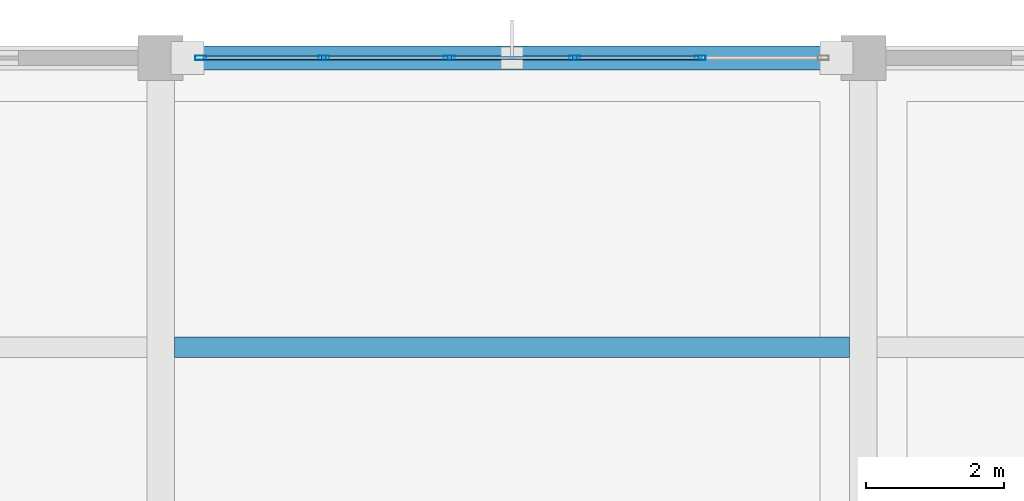
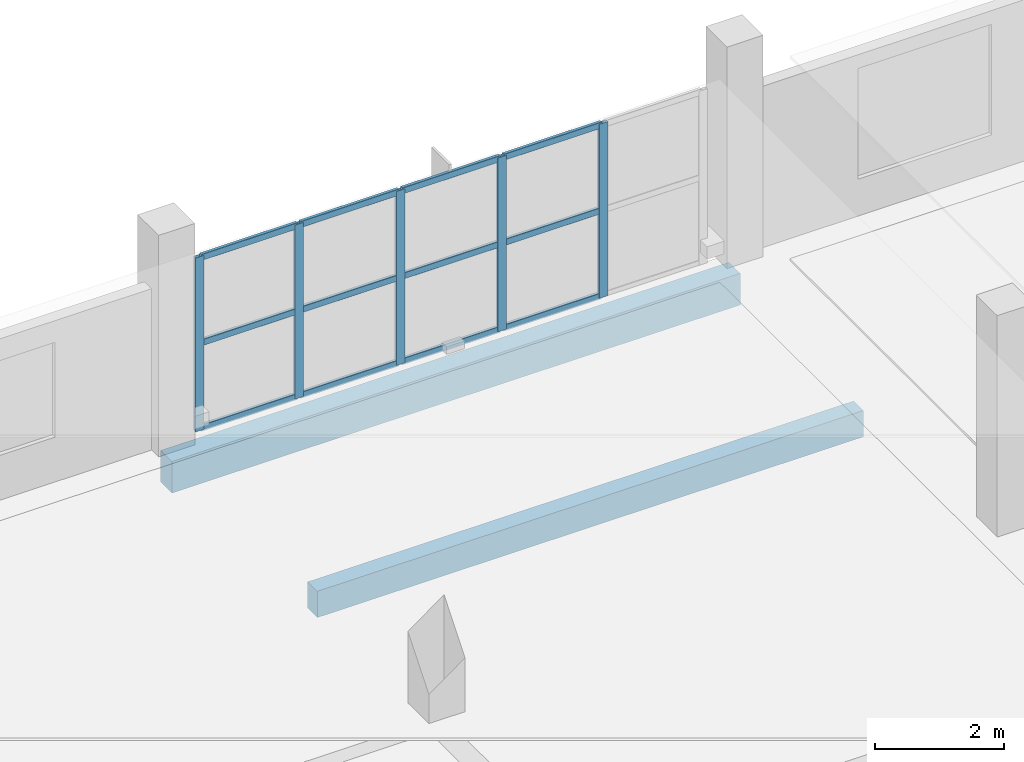
# One storey, part 102 of 135: 17 members, 2 beams, 1 element without a shape of its own.
"""IFC4 building model written with IfcOpenShell, lengths in metres."""

from ifc_helpers import new_model, si_unit, direction, frame, origin, origin_2d, place, context, subcontext, project, spatial, rectangle, hollow_rectangle, extrude, material, material_profile, profile_set, type_object, element, aggregate, save


model = new_model("IFC4")

# Units and contexts
model_context = context("Model", 3, precision=1e-05, world=origin(), true_north=direction((0.0, 1.0)))
body_context = subcontext(model_context, "Body", "Model", "MODEL_VIEW")
ifc_project = project(units=[si_unit("LENGTHUNIT", "METRE"), si_unit("AREAUNIT", "SQUARE_METRE"), si_unit("VOLUMEUNIT", "CUBIC_METRE"), si_unit("PLANEANGLEUNIT", "RADIAN"), si_unit("MASSUNIT", "GRAM", prefix="KILO")], contexts=[model_context])

# Site, building, storey
site_placement = place(None, origin())
site = spatial("IfcSite", under=ifc_project, at=site_placement, CompositionType="ELEMENT")
building_placement = place(site_placement, origin())
building = spatial("IfcBuilding", under=site, at=building_placement, Name="Brelvane Convention Centre", CompositionType="ELEMENT")
storey_placement = place(building_placement, frame((0.0, 0.0, 15.0)))
storey = spatial("IfcBuildingStorey", under=building, at=storey_placement, Name="L03", CompositionType="ELEMENT", Elevation=15.0)

# Curtain wall, members
ifc_material_1 = material(Name="Anodised Aluminium Alloy 6063-T6", Category="aluminium")
curtain_wall_type = type_object("IfcCurtainWallType", Name="Curtain Wall CW-BOUL", PredefinedType="USERDEFINED", material=ifc_material_1)
curtain_wall_placement = place(storey_placement, origin())
curtain_wall = element("IfcCurtainWall", 1, at=curtain_wall_placement, inside=storey, type_object=curtain_wall_type, Name="Curtain Wall CW-BOUL L03-V4N-08", ObjectType="UNITISED", PredefinedType="USERDEFINED")
ifc_material_2 = material(Name="Anodised Aluminium Alloy 6063-T6", Category="aluminium")
ifc_material_profile_1 = material_profile(ifc_material_2, hollow_rectangle(XDim=0.06494140625, YDim=0.159912109375, WallThickness=0.00390625, InnerFilletRadius=0.00390625, OuterFilletRadius=0.008056640625, at=origin_2d()), Name="ALU-M 160x65x4.0")
ifc_profile_set_1 = profile_set([ifc_material_profile_1], Name="Anodised Aluminium Alloy 6063-T6")
member_type_1 = type_object("IfcMemberType", Name="Curtain Mullion CW-M3", PredefinedType="MULLION", material=ifc_profile_set_1)
member_1_placement = place(storey_placement, frame((71.982421875, 144.0, 0.0), z_axis=(0.0, 0.0, 1.0), x_axis=(0.0, 1.0, 0.0)))
member_1 = element("IfcMember", 2, at=member_1_placement, type_object=member_type_1, Name="CW-BOUL mullion 1", PredefinedType="MULLION", context=body_context, shape_type="SweptSolid", body=[
    extrude(hollow_rectangle(XDim=0.06494140625, YDim=0.159912109375, WallThickness=0.00390625, InnerFilletRadius=0.00390625, OuterFilletRadius=0.008056640625, at=origin_2d()), origin(), (0.0, 0.0, 1.0), 3.300048828125),
])
member_2_placement = place(storey_placement, frame((73.77001953125, 144.0, 0.0), z_axis=(0.0, 0.0, 1.0), x_axis=(0.0, 1.0, 0.0)))
member_2 = element("IfcMember", 3, at=member_2_placement, type_object=member_type_1, Name="CW-BOUL mullion 2", PredefinedType="MULLION", context=body_context, shape_type="SweptSolid", body=[
    extrude(hollow_rectangle(XDim=0.06494140625, YDim=0.159912109375, WallThickness=0.00390625, InnerFilletRadius=0.00390625, OuterFilletRadius=0.008056640625, at=origin_2d()), origin(), (0.0, 0.0, 1.0), 3.300048828125),
])
member_3_placement = place(storey_placement, frame((75.590087890625, 144.0, 0.0), z_axis=(0.0, 0.0, 1.0), x_axis=(0.0, 1.0, 0.0)))
member_3 = element("IfcMember", 4, at=member_3_placement, type_object=member_type_1, Name="CW-BOUL mullion 3", PredefinedType="MULLION", context=body_context, shape_type="SweptSolid", body=[
    extrude(hollow_rectangle(XDim=0.06494140625, YDim=0.159912109375, WallThickness=0.00390625, InnerFilletRadius=0.00390625, OuterFilletRadius=0.008056640625, at=origin_2d()), origin(), (0.0, 0.0, 1.0), 3.300048828125),
])
member_4_placement = place(storey_placement, frame((77.409912109375, 144.0, 0.0), z_axis=(0.0, 0.0, 1.0), x_axis=(0.0, 1.0, 0.0)))
member_4 = element("IfcMember", 5, at=member_4_placement, type_object=member_type_1, Name="CW-BOUL mullion 4", PredefinedType="MULLION", context=body_context, shape_type="SweptSolid", body=[
    extrude(hollow_rectangle(XDim=0.06494140625, YDim=0.159912109375, WallThickness=0.00390625, InnerFilletRadius=0.00390625, OuterFilletRadius=0.008056640625, at=origin_2d()), origin(), (0.0, 0.0, 1.0), 3.300048828125),
])
member_5_placement = place(storey_placement, frame((79.22998046875, 144.0, 0.0), z_axis=(0.0, 0.0, 1.0), x_axis=(0.0, 1.0, 0.0)))
member_5 = element("IfcMember", 6, at=member_5_placement, type_object=member_type_1, Name="CW-BOUL mullion 5", PredefinedType="MULLION", context=body_context, shape_type="SweptSolid", body=[
    extrude(hollow_rectangle(XDim=0.06494140625, YDim=0.159912109375, WallThickness=0.00390625, InnerFilletRadius=0.00390625, OuterFilletRadius=0.008056640625, at=origin_2d()), origin(), (0.0, 0.0, 1.0), 3.300048828125),
])
ifc_material_3 = material(Name="Anodised Aluminium Alloy 6063-T6", Category="aluminium")
ifc_material_profile_2 = material_profile(ifc_material_3, hollow_rectangle(XDim=0.06005859375, YDim=0.1201171875, WallThickness=0.00390625, InnerFilletRadius=0.00390625, OuterFilletRadius=0.008056640625, at=origin_2d()), Name="ALU-T 120x60x4.0")
ifc_profile_set_2 = profile_set([ifc_material_profile_2], Name="Anodised Aluminium Alloy 6063-T6")
member_type_2 = type_object("IfcMemberType", Name="Curtain Transom CW-T3", PredefinedType="USERDEFINED", material=ifc_profile_set_2)
member_6_placement = place(storey_placement, frame((72.014892578125, 144.0, 0.030029296875), z_axis=(1.0, 0.0, 0.0), x_axis=(0.0, 1.0, 0.0)))
member_6 = element("IfcMember", 7, at=member_6_placement, type_object=member_type_2, Name="CW-BOUL transom 1.1", ObjectType="TRANSOM", PredefinedType="USERDEFINED", context=body_context, shape_type="SweptSolid", body=[
    extrude(hollow_rectangle(XDim=0.06005859375, YDim=0.1201171875, WallThickness=0.00390625, InnerFilletRadius=0.00390625, OuterFilletRadius=0.008056640625, at=origin_2d()), origin(), (0.0, 0.0, 1.0), 1.72265625),
])
member_7_placement = place(storey_placement, frame((72.014892578125, 144.0, 1.64990234375), z_axis=(1.0, 0.0, 0.0), x_axis=(0.0, 1.0, 0.0)))
member_7 = element("IfcMember", 8, at=member_7_placement, type_object=member_type_2, Name="CW-BOUL transom 1.2", ObjectType="TRANSOM", PredefinedType="USERDEFINED", context=body_context, shape_type="SweptSolid", body=[
    extrude(hollow_rectangle(XDim=0.06005859375, YDim=0.1201171875, WallThickness=0.00390625, InnerFilletRadius=0.00390625, OuterFilletRadius=0.008056640625, at=origin_2d()), origin(), (0.0, 0.0, 1.0), 1.72265625),
])
member_8_placement = place(storey_placement, frame((72.014892578125, 144.0, 3.27001953125), z_axis=(1.0, 0.0, 0.0), x_axis=(0.0, 1.0, 0.0)))
member_8 = element("IfcMember", 9, at=member_8_placement, type_object=member_type_2, Name="CW-BOUL transom 1.3", ObjectType="TRANSOM", PredefinedType="USERDEFINED", context=body_context, shape_type="SweptSolid", body=[
    extrude(hollow_rectangle(XDim=0.06005859375, YDim=0.1201171875, WallThickness=0.00390625, InnerFilletRadius=0.00390625, OuterFilletRadius=0.008056640625, at=origin_2d()), origin(), (0.0, 0.0, 1.0), 1.72265625),
])
member_9_placement = place(storey_placement, frame((73.802490234375, 144.0, 0.030029296875), z_axis=(1.0, 0.0, 0.0), x_axis=(0.0, 1.0, 0.0)))
member_9 = element("IfcMember", 10, at=member_9_placement, type_object=member_type_2, Name="CW-BOUL transom 2.1", ObjectType="TRANSOM", PredefinedType="USERDEFINED", context=body_context, shape_type="SweptSolid", body=[
    extrude(hollow_rectangle(XDim=0.06005859375, YDim=0.1201171875, WallThickness=0.00390625, InnerFilletRadius=0.00390625, OuterFilletRadius=0.008056640625, at=origin_2d()), origin(), (0.0, 0.0, 1.0), 1.755126953125),
])
member_10_placement = place(storey_placement, frame((73.802490234375, 144.0, 1.64990234375), z_axis=(1.0, 0.0, 0.0), x_axis=(0.0, 1.0, 0.0)))
member_10 = element("IfcMember", 11, at=member_10_placement, type_object=member_type_2, Name="CW-BOUL transom 2.2", ObjectType="TRANSOM", PredefinedType="USERDEFINED", context=body_context, shape_type="SweptSolid", body=[
    extrude(hollow_rectangle(XDim=0.06005859375, YDim=0.1201171875, WallThickness=0.00390625, InnerFilletRadius=0.00390625, OuterFilletRadius=0.008056640625, at=origin_2d()), origin(), (0.0, 0.0, 1.0), 1.755126953125),
])
member_11_placement = place(storey_placement, frame((73.802490234375, 144.0, 3.27001953125), z_axis=(1.0, 0.0, 0.0), x_axis=(0.0, 1.0, 0.0)))
member_11 = element("IfcMember", 12, at=member_11_placement, type_object=member_type_2, Name="CW-BOUL transom 2.3", ObjectType="TRANSOM", PredefinedType="USERDEFINED", context=body_context, shape_type="SweptSolid", body=[
    extrude(hollow_rectangle(XDim=0.06005859375, YDim=0.1201171875, WallThickness=0.00390625, InnerFilletRadius=0.00390625, OuterFilletRadius=0.008056640625, at=origin_2d()), origin(), (0.0, 0.0, 1.0), 1.755126953125),
])
member_12_placement = place(storey_placement, frame((75.62255859375, 144.0, 0.030029296875), z_axis=(1.0, 0.0, 0.0), x_axis=(0.0, 1.0, 0.0)))
member_12 = element("IfcMember", 13, at=member_12_placement, type_object=member_type_2, Name="CW-BOUL transom 3.1", ObjectType="TRANSOM", PredefinedType="USERDEFINED", context=body_context, shape_type="SweptSolid", body=[
    extrude(hollow_rectangle(XDim=0.06005859375, YDim=0.1201171875, WallThickness=0.00390625, InnerFilletRadius=0.00390625, OuterFilletRadius=0.008056640625, at=origin_2d()), origin(), (0.0, 0.0, 1.0), 1.7548828125),
])
member_13_placement = place(storey_placement, frame((75.62255859375, 144.0, 1.64990234375), z_axis=(1.0, 0.0, 0.0), x_axis=(0.0, 1.0, 0.0)))
member_13 = element("IfcMember", 14, at=member_13_placement, type_object=member_type_2, Name="CW-BOUL transom 3.2", ObjectType="TRANSOM", PredefinedType="USERDEFINED", context=body_context, shape_type="SweptSolid", body=[
    extrude(hollow_rectangle(XDim=0.06005859375, YDim=0.1201171875, WallThickness=0.00390625, InnerFilletRadius=0.00390625, OuterFilletRadius=0.008056640625, at=origin_2d()), origin(), (0.0, 0.0, 1.0), 1.7548828125),
])
member_14_placement = place(storey_placement, frame((75.62255859375, 144.0, 3.27001953125), z_axis=(1.0, 0.0, 0.0), x_axis=(0.0, 1.0, 0.0)))
member_14 = element("IfcMember", 15, at=member_14_placement, type_object=member_type_2, Name="CW-BOUL transom 3.3", ObjectType="TRANSOM", PredefinedType="USERDEFINED", context=body_context, shape_type="SweptSolid", body=[
    extrude(hollow_rectangle(XDim=0.06005859375, YDim=0.1201171875, WallThickness=0.00390625, InnerFilletRadius=0.00390625, OuterFilletRadius=0.008056640625, at=origin_2d()), origin(), (0.0, 0.0, 1.0), 1.7548828125),
])
member_15_placement = place(storey_placement, frame((77.4423828125, 144.0, 0.030029296875), z_axis=(1.0, 0.0, 0.0), x_axis=(0.0, 1.0, 0.0)))
member_15 = element("IfcMember", 16, at=member_15_placement, type_object=member_type_2, Name="CW-BOUL transom 4.1", ObjectType="TRANSOM", PredefinedType="USERDEFINED", context=body_context, shape_type="SweptSolid", body=[
    extrude(hollow_rectangle(XDim=0.06005859375, YDim=0.1201171875, WallThickness=0.00390625, InnerFilletRadius=0.00390625, OuterFilletRadius=0.008056640625, at=origin_2d()), origin(), (0.0, 0.0, 1.0), 1.755126953125),
])
member_16_placement = place(storey_placement, frame((77.4423828125, 144.0, 1.64990234375), z_axis=(1.0, 0.0, 0.0), x_axis=(0.0, 1.0, 0.0)))
member_16 = element("IfcMember", 17, at=member_16_placement, type_object=member_type_2, Name="CW-BOUL transom 4.2", ObjectType="TRANSOM", PredefinedType="USERDEFINED", context=body_context, shape_type="SweptSolid", body=[
    extrude(hollow_rectangle(XDim=0.06005859375, YDim=0.1201171875, WallThickness=0.00390625, InnerFilletRadius=0.00390625, OuterFilletRadius=0.008056640625, at=origin_2d()), origin(), (0.0, 0.0, 1.0), 1.755126953125),
])
member_17_placement = place(storey_placement, frame((77.4423828125, 144.0, 3.27001953125), z_axis=(1.0, 0.0, 0.0), x_axis=(0.0, 1.0, 0.0)))
member_17 = element("IfcMember", 18, at=member_17_placement, type_object=member_type_2, Name="CW-BOUL transom 4.3", ObjectType="TRANSOM", PredefinedType="USERDEFINED", context=body_context, shape_type="SweptSolid", body=[
    extrude(hollow_rectangle(XDim=0.06005859375, YDim=0.1201171875, WallThickness=0.00390625, InnerFilletRadius=0.00390625, OuterFilletRadius=0.008056640625, at=origin_2d()), origin(), (0.0, 0.0, 1.0), 1.755126953125),
])
aggregate(curtain_wall, [member_1, member_2, member_3, member_4, member_5, member_6, member_7, member_8, member_9, member_10, member_11, member_12, member_13, member_14, member_15, member_16, member_17])

# Beams
ifc_material_4 = material(Name="Concrete M40", Category="concrete")
ifc_material_profile_3 = material_profile(ifc_material_4, rectangle(XDim=0.300048828125, YDim=0.5, at=origin_2d()), Name="RC 300x500")
ifc_profile_set_3 = profile_set([ifc_material_profile_3], Name="Concrete M40")
beam_type_1 = type_object("IfcBeamType", Name="RC Joist J-RC2 (RC 300x500)", PredefinedType="JOIST", material=ifc_profile_set_3)
beam_1_placement = place(storey_placement, frame((71.60009765625, 139.800048828125, -0.544921875), z_axis=(1.0, 0.0, 0.0), x_axis=(0.0, 1.0, 0.0)))
element("IfcBeam", 19, at=beam_1_placement, inside=storey, type_object=beam_type_1, Name="L03 Secondary Joist 8-9/PQ", PredefinedType="JOIST", context=body_context, shape_type="SweptSolid", body=[
    extrude(rectangle(XDim=0.300048828125, YDim=0.5, at=origin_2d()), origin(), (0.0, 0.0, 1.0), 9.7998046875),
])
ifc_material_5 = material(Name="Concrete M40", Category="concrete")
ifc_material_profile_4 = material_profile(ifc_material_5, rectangle(XDim=0.35009765625, YDim=0.60009765625, at=origin_2d()), Name="RC 350x600")
ifc_profile_set_4 = profile_set([ifc_material_profile_4], Name="Concrete M40")
beam_type_2 = type_object("IfcBeamType", Name="RC Spandrel SP-RC2 (RC 350x600)", PredefinedType="SPANDREL", material=ifc_profile_set_4)
beam_2_placement = place(storey_placement, frame((71.39990234375, 144.0, -0.594970703125), z_axis=(1.0, 0.0, 0.0), x_axis=(0.0, 1.0, 0.0)))
element("IfcBeam", 20, at=beam_2_placement, inside=storey, type_object=beam_type_2, Name="L03 Beam 8-9/Q", PredefinedType="SPANDREL", context=body_context, shape_type="SweptSolid", body=[
    extrude(rectangle(XDim=0.35009765625, YDim=0.60009765625, at=origin_2d()), origin(), (0.0, 0.0, 1.0), 10.2001953125),
])

save(model, "model.ifc")
